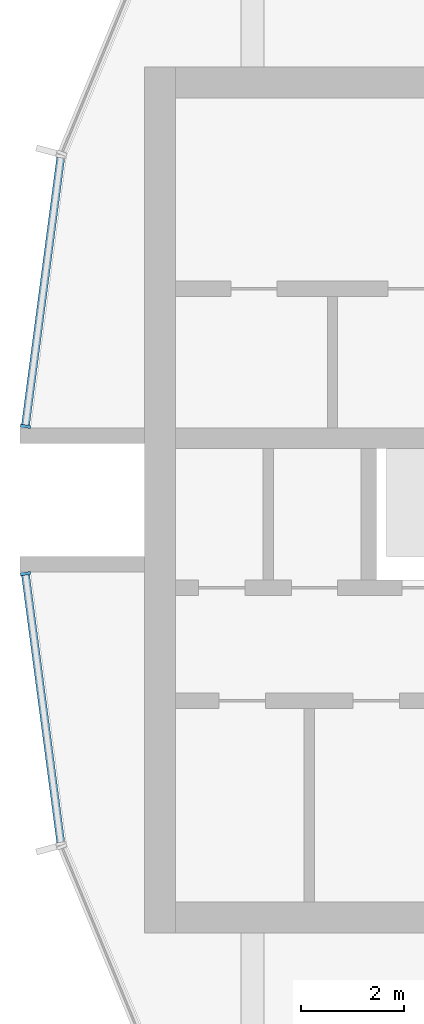
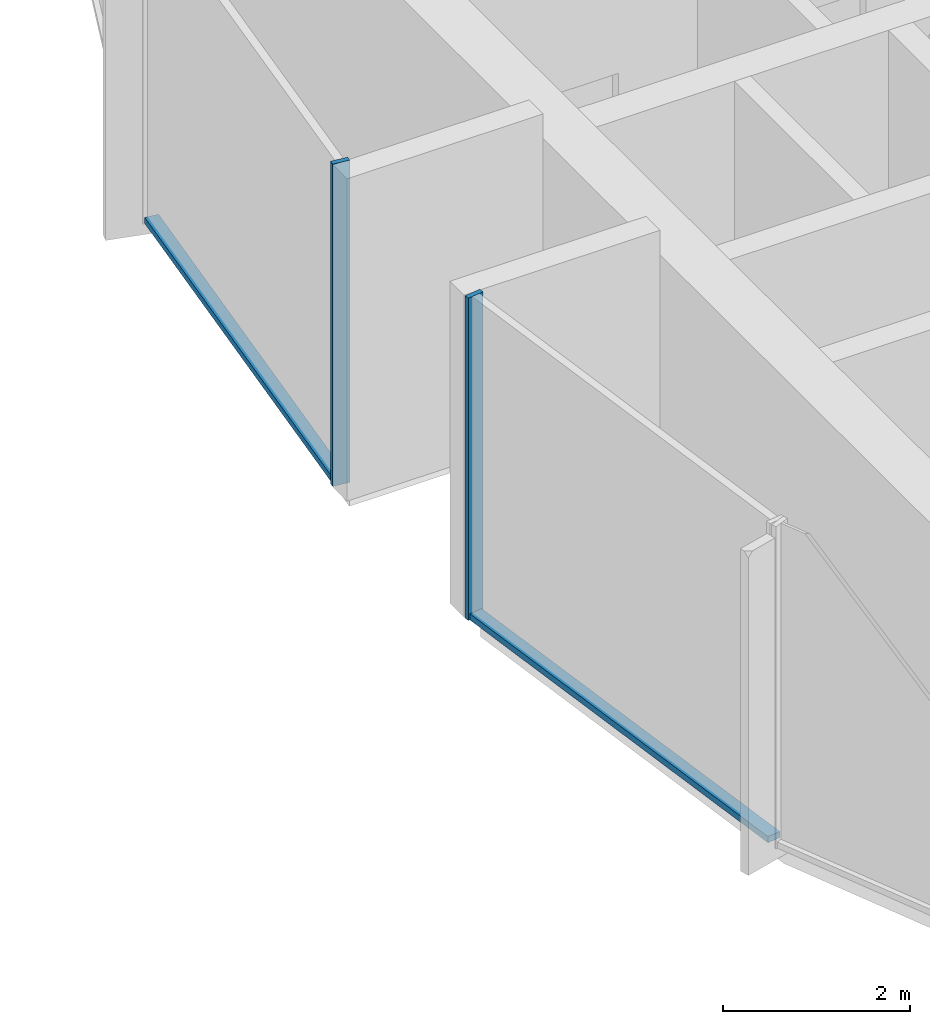
# One storey, part 3 of 15: 4 members, 2 elements without a shape of their own.
"""IFC4 building model written with IfcOpenShell, lengths in metres."""

from ifc_helpers import new_model, si_unit, direction, frame, origin, origin_2d, place, context, subcontext, project, spatial, rectangle, extrude, material, layer, layer_set, material_profile, profile_set, type_object, element, aggregate, save


model = new_model("IFC4")

# Units and contexts
model_context = context("Model", 3, precision=1e-05, world=origin(), true_north=direction((0.0, 1.0)))
body_context = subcontext(model_context, "Body", "Model", "MODEL_VIEW")
ifc_project = project(units=[si_unit("LENGTHUNIT", "METRE"), si_unit("AREAUNIT", "SQUARE_METRE"), si_unit("VOLUMEUNIT", "CUBIC_METRE"), si_unit("PLANEANGLEUNIT", "RADIAN"), si_unit("MASSUNIT", "GRAM", prefix="KILO")], contexts=[model_context])

# Site, building, storey
site_placement = place(None, origin())
site = spatial("IfcSite", under=ifc_project, at=site_placement, CompositionType="ELEMENT")
building_placement = place(site_placement, origin())
building = spatial("IfcBuilding", under=site, at=building_placement, Name="Torre Brocal", CompositionType="ELEMENT")
storey_placement = place(building_placement, frame((0.0, 0.0, 245.699951171875)))
storey = spatial("IfcBuildingStorey", under=building, at=storey_placement, Name="L56", CompositionType="ELEMENT", Elevation=245.699951171875)

# Curtain wall, member
ifc_material_1 = material(Name="Aluminium and glass", Category="aluminium")
ifc_layer = layer(ifc_material_1, 0.199951171875)
ifc_layer_set = layer_set([ifc_layer], Name="Aluminium and glass")
curtain_wall_type = type_object("IfcCurtainWallType", Name="CW-1B CURTAIN WALL 4200 HIGH", PredefinedType="NOTDEFINED", material=ifc_layer_set)
curtain_wall_1_placement = place(storey_placement, origin())
curtain_wall_1 = element("IfcCurtainWall", 1, at=curtain_wall_1_placement, inside=storey, type_object=curtain_wall_type, Name="CW-1B RUN 12", PredefinedType="NOTDEFINED")
ifc_material_2 = material(Name="Aluminium, dark anodised", Category="aluminium")
ifc_material_profile_1 = material_profile(ifc_material_2, rectangle(XDim=0.199951171875, YDim=0.06005859375, at=origin_2d()), Name="CW-1B MULLION 60X200")
ifc_profile_set_1 = profile_set([ifc_material_profile_1], Name="Aluminium, dark anodised")
member_type_1 = type_object("IfcMemberType", Name="CW-1B MULLION 60X200", PredefinedType="MULLION", material=ifc_profile_set_1)
member_1_placement = place(storey_placement, frame((54.2890625, 76.4296875, 0.0), z_axis=(0.0, 0.0, 1.0), x_axis=(0.991444861374, -0.13052619222, 0.0)))
member_1 = element("IfcMember", 2, at=member_1_placement, type_object=member_type_1, Name="CW1B-5 mullion 2", PredefinedType="MULLION", context=body_context, shape_type="SweptSolid", body=[
    extrude(rectangle(XDim=0.199951171875, YDim=0.06005859375, at=origin_2d()), origin(), (0.0, 0.0, 1.0), 4.199951171875),
])

curtain_wall_2_placement = place(storey_placement, origin())
curtain_wall_2 = element("IfcCurtainWall", 3, at=curtain_wall_2_placement, inside=storey, type_object=curtain_wall_type, Name="CW-1B RUN 13", PredefinedType="NOTDEFINED")
member_2_placement = place(storey_placement, frame((54.2890625, 73.5703125, 0.0), z_axis=(0.0, 0.0, 1.0), x_axis=(0.991444861374, 0.13052619222, 0.0)))
member_2 = element("IfcMember", 4, at=member_2_placement, type_object=member_type_1, Name="CW1B-5 mullion 1", PredefinedType="MULLION", context=body_context, shape_type="SweptSolid", body=[
    extrude(rectangle(XDim=0.199951171875, YDim=0.06005859375, at=origin_2d()), origin(), (0.0, 0.0, 1.0), 4.199951171875),
])

# Member
ifc_material_3 = material(Name="Aluminium, dark anodised", Category="aluminium")
ifc_material_profile_2 = material_profile(ifc_material_3, rectangle(XDim=0.159912109375, YDim=0.080078125, at=origin_2d()), Name="CW-1B TRANSOM 160X80")
ifc_profile_set_2 = profile_set([ifc_material_profile_2], Name="Aluminium, dark anodised")
member_type_2 = type_object("IfcMemberType", Name="CW-1B TRANSOM 160X80", PredefinedType="USERDEFINED", material=ifc_profile_set_2)
member_3_placement = place(storey_placement, frame((54.9755859375, 81.643798828125, 0.0400390625), z_axis=(-0.130542677827, -0.991442690863, 0.0), x_axis=(0.991442690863, -0.130542677827, 0.0)))
member_3 = element("IfcMember", 5, at=member_3_placement, type_object=member_type_2, Name="CW1B-5 transom 1.1", ObjectType="TRANSOM", PredefinedType="USERDEFINED", context=body_context, shape_type="SweptSolid", body=[
    extrude(rectangle(XDim=0.159912109375, YDim=0.080078125, at=origin_2d()), origin(), (0.0, 0.0, 1.0), 5.22900390625),
])

aggregate(curtain_wall_1, [member_1, member_3])

member_4_placement = place(storey_placement, frame((54.29296875, 73.54052734375, 0.0400390625), z_axis=(0.130542677827, -0.991442690863, 0.0), x_axis=(0.991442690863, 0.130542677827, 0.0)))
member_4 = element("IfcMember", 6, at=member_4_placement, type_object=member_type_2, Name="CW1B-5 transom 1.1", ObjectType="TRANSOM", PredefinedType="USERDEFINED", context=body_context, shape_type="SweptSolid", body=[
    extrude(rectangle(XDim=0.159912109375, YDim=0.080078125, at=origin_2d()), origin(), (0.0, 0.0, 1.0), 5.22900390625),
])

aggregate(curtain_wall_2, [member_2, member_4])

save(model, "model.ifc")
